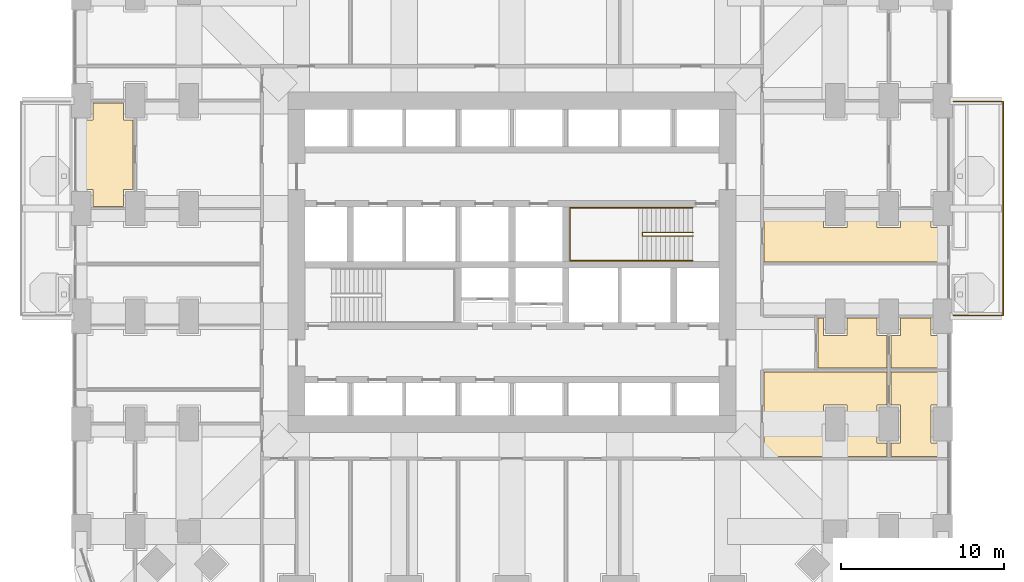
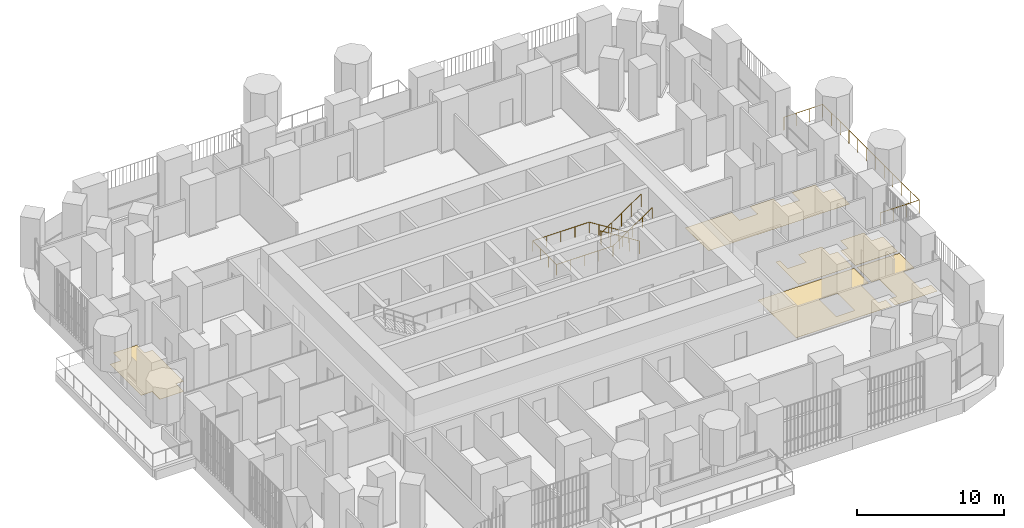
# One storey, part 24 of 26: 6 coverings, 3 railings.
"""IFC4 building model written with IfcOpenShell, lengths in metres."""

from ifc_helpers import new_model, si_unit, direction, frame, origin, place, context, subcontext, project, spatial, polyline, outline, extrude, material, layer, layer_set, type_object, element, save


model = new_model("IFC4")

# Units and contexts
model_context = context("Model", 3, precision=1e-05, world=origin(), true_north=direction((0.0, 1.0)))
body_context = subcontext(model_context, "Body", "Model", "MODEL_VIEW")
ifc_project = project(units=[si_unit("LENGTHUNIT", "METRE"), si_unit("AREAUNIT", "SQUARE_METRE"), si_unit("VOLUMEUNIT", "CUBIC_METRE"), si_unit("PLANEANGLEUNIT", "RADIAN"), si_unit("MASSUNIT", "GRAM", prefix="KILO")], contexts=[model_context])

# Site, building, storey
site_placement = place(None, origin())
site = spatial("IfcSite", under=ifc_project, at=site_placement, CompositionType="ELEMENT")
building_placement = place(site_placement, origin())
building = spatial("IfcBuilding", under=site, at=building_placement, Name="Cobogo Forest Laboratory Tower", CompositionType="ELEMENT")
storey_placement = place(building_placement, frame((0.0, 0.0, 59.10009765625)))
storey = spatial("IfcBuildingStorey", under=building, at=storey_placement, Name="L13", CompositionType="ELEMENT", Elevation=59.10009765625)

# Railing
ifc_material_1 = material(Name="Laminated glass balustrade", Category="glass")
railing_type_1 = type_object("IfcRailingType", Name="BG1 glass balustrade 1100", PredefinedType="GUARDRAIL", material=ifc_material_1)
railing_1_placement = place(storey_placement, frame((53.449951171875, 19.85009765625, 0.0)))
element("IfcRailing", 1, at=railing_1_placement, inside=storey, type_object=railing_type_1, Name="Balcony balustrade BAL-E1 L13", PredefinedType="GUARDRAIL", context=body_context, shape_type="SweptSolid", body=[
    extrude(outline(polyline([(0.022216796875, 0.00927734375), (0.00927734375, 0.022216796875), (-0.00927734375, 0.022216796875), (-0.022216796875, 0.00927734375), (-0.022216796875, -0.00927734375), (-0.00927734375, -0.022216796875), (0.00927734375, -0.022216796875), (0.022216796875, -0.00927734375), (0.022216796875, 0.00927734375)])), frame((0.0, 0.0, 1.077880859375), z_axis=(1.0, 0.0, 0.0), x_axis=(0.0, 1.0, 0.0)), (0.0, 0.0, 1.0), 3.050048828125),
    extrude(outline(polyline([(0.022216796875, 0.00927734375), (0.00927734375, 0.022216796875), (-0.00927734375, 0.022216796875), (-0.022216796875, 0.00927734375), (-0.022216796875, -0.00927734375), (-0.00927734375, -0.022216796875), (0.00927734375, -0.022216796875), (0.022216796875, -0.00927734375), (0.022216796875, 0.00927734375)])), frame((3.050048828125, 0.0, 1.077880859375), z_axis=(0.0, 1.0, 0.0), x_axis=(-1.0, 0.0, 0.0)), (0.0, 0.0, 1.0), 13.099853515625),
    extrude(outline(polyline([(0.022216796875, 0.00927734375), (0.00927734375, 0.022216796875), (-0.00927734375, 0.022216796875), (-0.022216796875, 0.00927734375), (-0.022216796875, -0.00927734375), (-0.00927734375, -0.022216796875), (0.00927734375, -0.022216796875), (0.022216796875, -0.00927734375), (0.022216796875, 0.00927734375)])), frame((3.050048828125, 13.099853515625, 1.077880859375), z_axis=(-1.0, 0.0, 0.0), x_axis=(0.0, -1.0, 0.0)), (0.0, 0.0, 1.0), 3.050048828125),
    extrude(outline(polyline([(0.019287109375, 0.008056640625), (0.008056640625, 0.019287109375), (-0.008056640625, 0.019287109375), (-0.019287109375, 0.008056640625), (-0.019287109375, -0.008056640625), (-0.008056640625, -0.019287109375), (0.008056640625, -0.019287109375), (0.019287109375, -0.008056640625), (0.019287109375, 0.008056640625)])), origin(), (0.0, 0.0, 1.0), 1.077880859375),
    extrude(outline(polyline([(0.019287109375, 0.008056640625), (0.008056640625, 0.019287109375), (-0.008056640625, 0.019287109375), (-0.019287109375, 0.008056640625), (-0.019287109375, -0.008056640625), (-0.008056640625, -0.019287109375), (0.008056640625, -0.019287109375), (0.019287109375, -0.008056640625), (0.019287109375, 0.008056640625)])), frame((1.0166015625, 0.0, 0.0)), (0.0, 0.0, 1.0), 1.077880859375),
    extrude(outline(polyline([(0.019287109375, 0.008056640625), (0.008056640625, 0.019287109375), (-0.008056640625, 0.019287109375), (-0.019287109375, 0.008056640625), (-0.019287109375, -0.008056640625), (-0.008056640625, -0.019287109375), (0.008056640625, -0.019287109375), (0.019287109375, -0.008056640625), (0.019287109375, 0.008056640625)])), frame((2.033447265625, 0.0, 0.0)), (0.0, 0.0, 1.0), 1.077880859375),
    extrude(outline(polyline([(0.019287109375, 0.008056640625), (0.008056640625, 0.019287109375), (-0.008056640625, 0.019287109375), (-0.019287109375, 0.008056640625), (-0.019287109375, -0.008056640625), (-0.008056640625, -0.019287109375), (0.008056640625, -0.019287109375), (0.019287109375, -0.008056640625), (0.019287109375, 0.008056640625)])), frame((3.050048828125, 0.0, 0.0)), (0.0, 0.0, 1.0), 1.077880859375),
    extrude(outline(polyline([(0.019287109375, 0.008056640625), (0.008056640625, 0.019287109375), (-0.008056640625, 0.019287109375), (-0.019287109375, 0.008056640625), (-0.019287109375, -0.008056640625), (-0.008056640625, -0.019287109375), (0.008056640625, -0.019287109375), (0.019287109375, -0.008056640625), (0.019287109375, 0.008056640625)])), frame((3.050048828125, 1.19091796875, 0.0)), (0.0, 0.0, 1.0), 1.077880859375),
    extrude(outline(polyline([(0.019287109375, 0.008056640625), (0.008056640625, 0.019287109375), (-0.008056640625, 0.019287109375), (-0.019287109375, 0.008056640625), (-0.019287109375, -0.008056640625), (-0.008056640625, -0.019287109375), (0.008056640625, -0.019287109375), (0.019287109375, -0.008056640625), (0.019287109375, 0.008056640625)])), frame((3.050048828125, 2.3818359375, 0.0)), (0.0, 0.0, 1.0), 1.077880859375),
    extrude(outline(polyline([(0.019287109375, 0.008056640625), (0.008056640625, 0.019287109375), (-0.008056640625, 0.019287109375), (-0.019287109375, 0.008056640625), (-0.019287109375, -0.008056640625), (-0.008056640625, -0.019287109375), (0.008056640625, -0.019287109375), (0.019287109375, -0.008056640625), (0.019287109375, 0.008056640625)])), frame((3.050048828125, 3.57275390625, 0.0)), (0.0, 0.0, 1.0), 1.077880859375),
    extrude(outline(polyline([(0.019287109375, 0.008056640625), (0.008056640625, 0.019287109375), (-0.008056640625, 0.019287109375), (-0.019287109375, 0.008056640625), (-0.019287109375, -0.008056640625), (-0.008056640625, -0.019287109375), (0.008056640625, -0.019287109375), (0.019287109375, -0.008056640625), (0.019287109375, 0.008056640625)])), frame((3.050048828125, 4.763671875, 0.0)), (0.0, 0.0, 1.0), 1.077880859375),
    extrude(outline(polyline([(0.019287109375, 0.008056640625), (0.008056640625, 0.019287109375), (-0.008056640625, 0.019287109375), (-0.019287109375, 0.008056640625), (-0.019287109375, -0.008056640625), (-0.008056640625, -0.019287109375), (0.008056640625, -0.019287109375), (0.019287109375, -0.008056640625), (0.019287109375, 0.008056640625)])), frame((3.050048828125, 5.95458984375, 0.0)), (0.0, 0.0, 1.0), 1.077880859375),
    extrude(outline(polyline([(0.019287109375, 0.008056640625), (0.008056640625, 0.019287109375), (-0.008056640625, 0.019287109375), (-0.019287109375, 0.008056640625), (-0.019287109375, -0.008056640625), (-0.008056640625, -0.019287109375), (0.008056640625, -0.019287109375), (0.019287109375, -0.008056640625), (0.019287109375, 0.008056640625)])), frame((3.050048828125, 7.145263671875, 0.0)), (0.0, 0.0, 1.0), 1.077880859375),
    extrude(outline(polyline([(0.019287109375, 0.008056640625), (0.008056640625, 0.019287109375), (-0.008056640625, 0.019287109375), (-0.019287109375, 0.008056640625), (-0.019287109375, -0.008056640625), (-0.008056640625, -0.019287109375), (0.008056640625, -0.019287109375), (0.019287109375, -0.008056640625), (0.019287109375, 0.008056640625)])), frame((3.050048828125, 8.336181640625, 0.0)), (0.0, 0.0, 1.0), 1.077880859375),
    extrude(outline(polyline([(0.019287109375, 0.008056640625), (0.008056640625, 0.019287109375), (-0.008056640625, 0.019287109375), (-0.019287109375, 0.008056640625), (-0.019287109375, -0.008056640625), (-0.008056640625, -0.019287109375), (0.008056640625, -0.019287109375), (0.019287109375, -0.008056640625), (0.019287109375, 0.008056640625)])), frame((3.050048828125, 9.527099609375, 0.0)), (0.0, 0.0, 1.0), 1.077880859375),
    extrude(outline(polyline([(0.019287109375, 0.008056640625), (0.008056640625, 0.019287109375), (-0.008056640625, 0.019287109375), (-0.019287109375, 0.008056640625), (-0.019287109375, -0.008056640625), (-0.008056640625, -0.019287109375), (0.008056640625, -0.019287109375), (0.019287109375, -0.008056640625), (0.019287109375, 0.008056640625)])), frame((3.050048828125, 10.718017578125, 0.0)), (0.0, 0.0, 1.0), 1.077880859375),
    extrude(outline(polyline([(0.019287109375, 0.008056640625), (0.008056640625, 0.019287109375), (-0.008056640625, 0.019287109375), (-0.019287109375, 0.008056640625), (-0.019287109375, -0.008056640625), (-0.008056640625, -0.019287109375), (0.008056640625, -0.019287109375), (0.019287109375, -0.008056640625), (0.019287109375, 0.008056640625)])), frame((3.050048828125, 11.908935546875, 0.0)), (0.0, 0.0, 1.0), 1.077880859375),
    extrude(outline(polyline([(0.019287109375, 0.008056640625), (0.008056640625, 0.019287109375), (-0.008056640625, 0.019287109375), (-0.019287109375, 0.008056640625), (-0.019287109375, -0.008056640625), (-0.008056640625, -0.019287109375), (0.008056640625, -0.019287109375), (0.019287109375, -0.008056640625), (0.019287109375, 0.008056640625)])), frame((3.050048828125, 13.099853515625, 0.0)), (0.0, 0.0, 1.0), 1.077880859375),
    extrude(outline(polyline([(0.019287109375, 0.008056640625), (0.008056640625, 0.019287109375), (-0.008056640625, 0.019287109375), (-0.019287109375, 0.008056640625), (-0.019287109375, -0.008056640625), (-0.008056640625, -0.019287109375), (0.008056640625, -0.019287109375), (0.019287109375, -0.008056640625), (0.019287109375, 0.008056640625)])), frame((2.033447265625, 13.099853515625, 0.0)), (0.0, 0.0, 1.0), 1.077880859375),
    extrude(outline(polyline([(0.019287109375, 0.008056640625), (0.008056640625, 0.019287109375), (-0.008056640625, 0.019287109375), (-0.019287109375, 0.008056640625), (-0.019287109375, -0.008056640625), (-0.008056640625, -0.019287109375), (0.008056640625, -0.019287109375), (0.019287109375, -0.008056640625), (0.019287109375, 0.008056640625)])), frame((1.0166015625, 13.099853515625, 0.0)), (0.0, 0.0, 1.0), 1.077880859375),
    extrude(outline(polyline([(0.019287109375, 0.008056640625), (0.008056640625, 0.019287109375), (-0.008056640625, 0.019287109375), (-0.019287109375, 0.008056640625), (-0.019287109375, -0.008056640625), (-0.008056640625, -0.019287109375), (0.008056640625, -0.019287109375), (0.019287109375, -0.008056640625), (0.019287109375, 0.008056640625)])), frame((0.0, 13.099853515625, 0.0)), (0.0, 0.0, 1.0), 1.077880859375),
])

# Coverings
ifc_material_2 = material(Name="Carpet tile on raised access floor", Category="flooring")
ifc_layer_1 = layer(ifc_material_2, 0.008056640625)
ifc_layer_set_1 = layer_set([ifc_layer_1], Name="CT1 carpet tile floor 8")
covering_type_1 = type_object("IfcCoveringType", Name="CT1 carpet tile floor 8", PredefinedType="FLOORING", material=ifc_layer_set_1)
covering_1_placement = place(storey_placement, origin())
element("IfcCovering", 2, at=covering_1_placement, inside=storey, type_object=covering_type_1, Name="Carpet floor L13-13", PredefinedType="FLOORING", context=body_context, shape_type="SweptSolid", body=[
    extrude(outline(polyline([(49.6201171875, 12.030029296875), (50.219970703125, 12.030029296875), (50.219970703125, 14.3701171875), (49.6201171875, 14.3701171875), (49.6201171875, 16.3798828125), (52.949951171875, 16.3798828125), (52.949951171875, 14.3701171875), (52.080078125, 14.3701171875), (52.080078125, 12.030029296875), (52.949951171875, 12.030029296875), (52.949951171875, 11.195068359375), (49.6201171875, 11.195068359375), (49.6201171875, 12.030029296875)])), origin(), (0.0, 0.0, 1.0), 0.0078125),
])
covering_2_placement = place(storey_placement, origin())
element("IfcCovering", 3, at=covering_2_placement, inside=storey, type_object=covering_type_1, Name="Carpet floor L13-15", PredefinedType="FLOORING", context=body_context, shape_type="SweptSolid", body=[
    extrude(outline(polyline([(49.6201171875, 18.6298828125), (50.219970703125, 18.6298828125), (50.219970703125, 19.679931640625), (52.080078125, 19.679931640625), (52.080078125, 18.6298828125), (52.949951171875, 18.6298828125), (52.949951171875, 16.6201171875), (49.6201171875, 16.6201171875), (49.6201171875, 18.6298828125)])), origin(), (0.0, 0.0, 1.0), 0.0078125),
])
covering_3_placement = place(storey_placement, origin())
element("IfcCovering", 4, at=covering_3_placement, inside=storey, type_object=covering_type_1, Name="Carpet floor L13-35", PredefinedType="FLOORING", context=body_context, shape_type="SweptSolid", body=[
    extrude(outline(polyline([(3.179931640625, 27.570068359375), (2.580078125, 27.570068359375), (2.580078125, 26.52001953125), (0.719970703125, 26.52001953125), (0.719970703125, 27.570068359375), (-0.14990234375, 27.570068359375), (-0.14990234375, 31.830078125), (0.719970703125, 31.830078125), (0.719970703125, 32.8798828125), (2.580078125, 32.8798828125), (2.580078125, 31.830078125), (3.179931640625, 31.830078125), (3.179931640625, 27.570068359375)])), origin(), (0.0, 0.0, 1.0), 0.0078125),
])

# Railings
ifc_material_3 = material(Name="Steel balustrade", Category="steel")
railing_type_2 = type_object("IfcRailingType", Name="GR stair guard 1100", PredefinedType="GUARDRAIL", material=ifc_material_3)
railing_2_placement = place(storey_placement, frame((37.47509765625, 24.929931640625, 0.1748046875)))
element("IfcRailing", 5, at=railing_2_placement, inside=storey, type_object=railing_type_2, Name="Stair guard ST2 L13", PredefinedType="GUARDRAIL", context=body_context, shape_type="SweptSolid", body=[
    extrude(outline(polyline([(0.022216796875, 0.00927734375), (0.00927734375, 0.022216796875), (-0.00927734375, 0.022216796875), (-0.022216796875, 0.00927734375), (-0.022216796875, -0.00927734375), (-0.00927734375, -0.022216796875), (0.00927734375, -0.022216796875), (0.022216796875, -0.00927734375), (0.022216796875, 0.00927734375)])), frame((0.0, 0.0, 1.077880859375), z_axis=(-0.847998304005, 0.0, 0.529998940003), x_axis=(0.0, -1.0, 0.0)), (0.0, 0.0, 1.0), 3.632080078125),
    extrude(outline(polyline([(0.022216796875, 0.00927734375), (0.00927734375, 0.022216796875), (-0.00927734375, 0.022216796875), (-0.022216796875, 0.00927734375), (-0.022216796875, -0.00927734375), (-0.00927734375, -0.022216796875), (0.00927734375, -0.022216796875), (0.022216796875, -0.00927734375), (0.022216796875, 0.00927734375)])), frame((-3.080078125, 0.0, 3.0029296875), z_axis=(0.0, -1.0, 0.0), x_axis=(1.0, 0.0, 0.0)), (0.0, 0.0, 1.0), 0.2099609375),
    extrude(outline(polyline([(0.022216796875, 0.00927734375), (0.00927734375, 0.022216796875), (-0.00927734375, 0.022216796875), (-0.022216796875, 0.00927734375), (-0.022216796875, -0.00927734375), (-0.00927734375, -0.022216796875), (0.00927734375, -0.022216796875), (0.022216796875, -0.00927734375), (0.022216796875, 0.00927734375)])), frame((-3.080078125, -0.2099609375, 3.0029296875), z_axis=(0.826221800596, 0.0, 0.563344953133), x_axis=(0.0, 1.0, 0.0)), (0.0, 0.0, 1.0), 3.72802734375),
    extrude(outline(polyline([(0.019287109375, 0.008056640625), (0.008056640625, 0.019287109375), (-0.008056640625, 0.019287109375), (-0.019287109375, 0.008056640625), (-0.019287109375, -0.008056640625), (-0.008056640625, -0.019287109375), (0.008056640625, -0.019287109375), (0.019287109375, -0.008056640625), (0.019287109375, 0.008056640625)])), origin(), (0.0, 0.0, 1.0), 1.077880859375),
    extrude(outline(polyline([(0.019287109375, 0.008056640625), (0.008056640625, 0.019287109375), (-0.008056640625, 0.019287109375), (-0.019287109375, 0.008056640625), (-0.019287109375, -0.008056640625), (-0.008056640625, -0.019287109375), (0.008056640625, -0.019287109375), (0.019287109375, -0.008056640625), (0.019287109375, 0.008056640625)])), frame((-0.77001953125, 0.0, 0.481201171875)), (0.0, 0.0, 1.0), 1.077880859375),
    extrude(outline(polyline([(0.019287109375, 0.008056640625), (0.008056640625, 0.019287109375), (-0.008056640625, 0.019287109375), (-0.019287109375, 0.008056640625), (-0.019287109375, -0.008056640625), (-0.008056640625, -0.019287109375), (0.008056640625, -0.019287109375), (0.019287109375, -0.008056640625), (0.019287109375, 0.008056640625)])), frame((-1.5400390625, 0.0, 0.96240234375)), (0.0, 0.0, 1.0), 1.077880859375),
    extrude(outline(polyline([(0.019287109375, 0.008056640625), (0.008056640625, 0.019287109375), (-0.008056640625, 0.019287109375), (-0.019287109375, 0.008056640625), (-0.019287109375, -0.008056640625), (-0.008056640625, -0.019287109375), (0.008056640625, -0.019287109375), (0.019287109375, -0.008056640625), (0.019287109375, 0.008056640625)])), frame((-2.31005859375, 0.0, 1.44384765625)), (0.0, 0.0, 1.0), 1.077880859375),
    extrude(outline(polyline([(0.019287109375, 0.008056640625), (0.008056640625, 0.019287109375), (-0.008056640625, 0.019287109375), (-0.019287109375, 0.008056640625), (-0.019287109375, -0.008056640625), (-0.008056640625, -0.019287109375), (0.008056640625, -0.019287109375), (0.019287109375, -0.008056640625), (0.019287109375, 0.008056640625)])), frame((-3.080078125, 0.0, 1.925048828125)), (0.0, 0.0, 1.0), 1.077880859375),
    extrude(outline(polyline([(0.019287109375, 0.008056640625), (0.008056640625, 0.019287109375), (-0.008056640625, 0.019287109375), (-0.019287109375, 0.008056640625), (-0.019287109375, -0.008056640625), (-0.008056640625, -0.019287109375), (0.008056640625, -0.019287109375), (0.019287109375, -0.008056640625), (0.019287109375, 0.008056640625)])), frame((-3.080078125, -0.2099609375, 1.925048828125)), (0.0, 0.0, 1.0), 1.077880859375),
    extrude(outline(polyline([(0.019287109375, 0.008056640625), (0.008056640625, 0.019287109375), (-0.008056640625, 0.019287109375), (-0.019287109375, 0.008056640625), (-0.019287109375, -0.008056640625), (-0.008056640625, -0.019287109375), (0.008056640625, -0.019287109375), (0.019287109375, -0.008056640625), (0.019287109375, 0.008056640625)])), frame((-2.31005859375, -0.2099609375, 2.4501953125)), (0.0, 0.0, 1.0), 1.077880859375),
    extrude(outline(polyline([(0.019287109375, 0.008056640625), (0.008056640625, 0.019287109375), (-0.008056640625, 0.019287109375), (-0.019287109375, 0.008056640625), (-0.019287109375, -0.008056640625), (-0.008056640625, -0.019287109375), (0.008056640625, -0.019287109375), (0.019287109375, -0.008056640625), (0.019287109375, 0.008056640625)])), frame((-1.5400390625, -0.2099609375, 2.97509765625)), (0.0, 0.0, 1.0), 1.077880859375),
    extrude(outline(polyline([(0.019287109375, 0.008056640625), (0.008056640625, 0.019287109375), (-0.008056640625, 0.019287109375), (-0.019287109375, 0.008056640625), (-0.019287109375, -0.008056640625), (-0.008056640625, -0.019287109375), (0.008056640625, -0.019287109375), (0.019287109375, -0.008056640625), (0.019287109375, 0.008056640625)])), frame((-0.77001953125, -0.2099609375, 3.5)), (0.0, 0.0, 1.0), 1.077880859375),
    extrude(outline(polyline([(0.019287109375, 0.008056640625), (0.008056640625, 0.019287109375), (-0.008056640625, 0.019287109375), (-0.019287109375, 0.008056640625), (-0.019287109375, -0.008056640625), (-0.008056640625, -0.019287109375), (0.008056640625, -0.019287109375), (0.019287109375, -0.008056640625), (0.019287109375, 0.008056640625)])), frame((0.0, -0.2099609375, 4.025146484375)), (0.0, 0.0, 1.0), 1.077880859375),
])
ifc_material_4 = material(Name="Stainless steel handrail", Category="steel")
railing_type_3 = type_object("IfcRailingType", Name="HR handrail 900", PredefinedType="HANDRAIL", material=ifc_material_4)
railing_3_placement = place(storey_placement, frame((37.47509765625, 26.449951171875, 0.1748046875)))
element("IfcRailing", 6, at=railing_3_placement, inside=storey, type_object=railing_type_3, Name="Stair handrail ST2 L13", PredefinedType="HANDRAIL", context=body_context, shape_type="SweptSolid", body=[
    extrude(outline(polyline([(0.022216796875, 0.00927734375), (0.00927734375, 0.022216796875), (-0.00927734375, 0.022216796875), (-0.022216796875, 0.00927734375), (-0.022216796875, -0.00927734375), (-0.00927734375, -0.022216796875), (0.00927734375, -0.022216796875), (0.022216796875, -0.00927734375), (0.022216796875, 0.00927734375)])), frame((0.0, 0.0, 0.877685546875), z_axis=(-0.847998304005, 0.0, 0.529998940003), x_axis=(0.0, -1.0, 0.0)), (0.0, 0.0, 1.0), 3.632080078125),
    extrude(outline(polyline([(0.022216796875, 0.00927734375), (0.00927734375, 0.022216796875), (-0.00927734375, 0.022216796875), (-0.022216796875, 0.00927734375), (-0.022216796875, -0.00927734375), (-0.00927734375, -0.022216796875), (0.00927734375, -0.022216796875), (0.022216796875, -0.00927734375), (0.022216796875, 0.00927734375)])), frame((-3.080078125, 0.0, 2.802734375), z_axis=(-1.0, 0.0, 0.0), x_axis=(0.0, -1.0, 0.0)), (0.0, 0.0, 1.0), 4.445068359375),
    extrude(outline(polyline([(0.022216796875, 0.00927734375), (0.00927734375, 0.022216796875), (-0.00927734375, 0.022216796875), (-0.022216796875, 0.00927734375), (-0.022216796875, -0.00927734375), (-0.00927734375, -0.022216796875), (0.00927734375, -0.022216796875), (0.022216796875, -0.00927734375), (0.022216796875, 0.00927734375)])), frame((-7.525146484375, 0.0, 2.802734375), z_axis=(0.0, -1.0, 0.0), x_axis=(1.0, 0.0, 0.0)), (0.0, 0.0, 1.0), 3.25),
    extrude(outline(polyline([(0.022216796875, 0.00927734375), (0.00927734375, 0.022216796875), (-0.00927734375, 0.022216796875), (-0.022216796875, 0.00927734375), (-0.022216796875, -0.00927734375), (-0.00927734375, -0.022216796875), (0.00927734375, -0.022216796875), (0.022216796875, -0.00927734375), (0.022216796875, 0.00927734375)])), frame((-7.525146484375, -3.25, 2.802734375), z_axis=(1.0, 0.0, 0.0), x_axis=(0.0, 1.0, 0.0)), (0.0, 0.0, 1.0), 4.445068359375),
    extrude(outline(polyline([(0.022216796875, 0.00927734375), (0.00927734375, 0.022216796875), (-0.00927734375, 0.022216796875), (-0.022216796875, 0.00927734375), (-0.022216796875, -0.00927734375), (-0.00927734375, -0.022216796875), (0.00927734375, -0.022216796875), (0.022216796875, -0.00927734375), (0.022216796875, 0.00927734375)])), frame((-3.080078125, -3.25, 2.802734375), z_axis=(0.826221800596, 0.0, 0.563344953133), x_axis=(0.0, 1.0, 0.0)), (0.0, 0.0, 1.0), 3.72802734375),
    extrude(outline(polyline([(0.019287109375, 0.008056640625), (0.008056640625, 0.019287109375), (-0.008056640625, 0.019287109375), (-0.019287109375, 0.008056640625), (-0.019287109375, -0.008056640625), (-0.008056640625, -0.019287109375), (0.008056640625, -0.019287109375), (0.019287109375, -0.008056640625), (0.019287109375, 0.008056640625)])), origin(), (0.0, 0.0, 1.0), 0.877685546875),
    extrude(outline(polyline([(0.019287109375, 0.008056640625), (0.008056640625, 0.019287109375), (-0.008056640625, 0.019287109375), (-0.019287109375, 0.008056640625), (-0.019287109375, -0.008056640625), (-0.008056640625, -0.019287109375), (0.008056640625, -0.019287109375), (0.019287109375, -0.008056640625), (0.019287109375, 0.008056640625)])), frame((-0.77001953125, 0.0, 0.481201171875)), (0.0, 0.0, 1.0), 0.877685546875),
    extrude(outline(polyline([(0.019287109375, 0.008056640625), (0.008056640625, 0.019287109375), (-0.008056640625, 0.019287109375), (-0.019287109375, 0.008056640625), (-0.019287109375, -0.008056640625), (-0.008056640625, -0.019287109375), (0.008056640625, -0.019287109375), (0.019287109375, -0.008056640625), (0.019287109375, 0.008056640625)])), frame((-1.5400390625, 0.0, 0.96240234375)), (0.0, 0.0, 1.0), 0.877685546875),
    extrude(outline(polyline([(0.019287109375, 0.008056640625), (0.008056640625, 0.019287109375), (-0.008056640625, 0.019287109375), (-0.019287109375, 0.008056640625), (-0.019287109375, -0.008056640625), (-0.008056640625, -0.019287109375), (0.008056640625, -0.019287109375), (0.019287109375, -0.008056640625), (0.019287109375, 0.008056640625)])), frame((-2.31005859375, 0.0, 1.44384765625)), (0.0, 0.0, 1.0), 0.877685546875),
    extrude(outline(polyline([(0.019287109375, 0.008056640625), (0.008056640625, 0.019287109375), (-0.008056640625, 0.019287109375), (-0.019287109375, 0.008056640625), (-0.019287109375, -0.008056640625), (-0.008056640625, -0.019287109375), (0.008056640625, -0.019287109375), (0.019287109375, -0.008056640625), (0.019287109375, 0.008056640625)])), frame((-3.080078125, 0.0, 1.925048828125)), (0.0, 0.0, 1.0), 0.877685546875),
    extrude(outline(polyline([(0.019287109375, 0.008056640625), (0.008056640625, 0.019287109375), (-0.008056640625, 0.019287109375), (-0.019287109375, 0.008056640625), (-0.019287109375, -0.008056640625), (-0.008056640625, -0.019287109375), (0.008056640625, -0.019287109375), (0.019287109375, -0.008056640625), (0.019287109375, 0.008056640625)])), frame((-4.19140625, 0.0, 1.925048828125)), (0.0, 0.0, 1.0), 0.877685546875),
    extrude(outline(polyline([(0.019287109375, 0.008056640625), (0.008056640625, 0.019287109375), (-0.008056640625, 0.019287109375), (-0.019287109375, 0.008056640625), (-0.019287109375, -0.008056640625), (-0.008056640625, -0.019287109375), (0.008056640625, -0.019287109375), (0.019287109375, -0.008056640625), (0.019287109375, 0.008056640625)])), frame((-5.302734375, 0.0, 1.925048828125)), (0.0, 0.0, 1.0), 0.877685546875),
    extrude(outline(polyline([(0.019287109375, 0.008056640625), (0.008056640625, 0.019287109375), (-0.008056640625, 0.019287109375), (-0.019287109375, 0.008056640625), (-0.019287109375, -0.008056640625), (-0.008056640625, -0.019287109375), (0.008056640625, -0.019287109375), (0.019287109375, -0.008056640625), (0.019287109375, 0.008056640625)])), frame((-6.413818359375, 0.0, 1.925048828125)), (0.0, 0.0, 1.0), 0.877685546875),
    extrude(outline(polyline([(0.019287109375, 0.008056640625), (0.008056640625, 0.019287109375), (-0.008056640625, 0.019287109375), (-0.019287109375, 0.008056640625), (-0.019287109375, -0.008056640625), (-0.008056640625, -0.019287109375), (0.008056640625, -0.019287109375), (0.019287109375, -0.008056640625), (0.019287109375, 0.008056640625)])), frame((-7.525146484375, 0.0, 1.925048828125)), (0.0, 0.0, 1.0), 0.877685546875),
    extrude(outline(polyline([(0.019287109375, 0.008056640625), (0.008056640625, 0.019287109375), (-0.008056640625, 0.019287109375), (-0.019287109375, 0.008056640625), (-0.019287109375, -0.008056640625), (-0.008056640625, -0.019287109375), (0.008056640625, -0.019287109375), (0.019287109375, -0.008056640625), (0.019287109375, 0.008056640625)])), frame((-7.525146484375, -1.083251953125, 1.925048828125)), (0.0, 0.0, 1.0), 0.877685546875),
    extrude(outline(polyline([(0.019287109375, 0.008056640625), (0.008056640625, 0.019287109375), (-0.008056640625, 0.019287109375), (-0.019287109375, 0.008056640625), (-0.019287109375, -0.008056640625), (-0.008056640625, -0.019287109375), (0.008056640625, -0.019287109375), (0.019287109375, -0.008056640625), (0.019287109375, 0.008056640625)])), frame((-7.525146484375, -2.166748046875, 1.925048828125)), (0.0, 0.0, 1.0), 0.877685546875),
    extrude(outline(polyline([(0.019287109375, 0.008056640625), (0.008056640625, 0.019287109375), (-0.008056640625, 0.019287109375), (-0.019287109375, 0.008056640625), (-0.019287109375, -0.008056640625), (-0.008056640625, -0.019287109375), (0.008056640625, -0.019287109375), (0.019287109375, -0.008056640625), (0.019287109375, 0.008056640625)])), frame((-7.525146484375, -3.25, 1.925048828125)), (0.0, 0.0, 1.0), 0.877685546875),
    extrude(outline(polyline([(0.019287109375, 0.008056640625), (0.008056640625, 0.019287109375), (-0.008056640625, 0.019287109375), (-0.019287109375, 0.008056640625), (-0.019287109375, -0.008056640625), (-0.008056640625, -0.019287109375), (0.008056640625, -0.019287109375), (0.019287109375, -0.008056640625), (0.019287109375, 0.008056640625)])), frame((-6.413818359375, -3.25, 1.925048828125)), (0.0, 0.0, 1.0), 0.877685546875),
    extrude(outline(polyline([(0.019287109375, 0.008056640625), (0.008056640625, 0.019287109375), (-0.008056640625, 0.019287109375), (-0.019287109375, 0.008056640625), (-0.019287109375, -0.008056640625), (-0.008056640625, -0.019287109375), (0.008056640625, -0.019287109375), (0.019287109375, -0.008056640625), (0.019287109375, 0.008056640625)])), frame((-5.302734375, -3.25, 1.925048828125)), (0.0, 0.0, 1.0), 0.877685546875),
    extrude(outline(polyline([(0.019287109375, 0.008056640625), (0.008056640625, 0.019287109375), (-0.008056640625, 0.019287109375), (-0.019287109375, 0.008056640625), (-0.019287109375, -0.008056640625), (-0.008056640625, -0.019287109375), (0.008056640625, -0.019287109375), (0.019287109375, -0.008056640625), (0.019287109375, 0.008056640625)])), frame((-4.19140625, -3.25, 1.925048828125)), (0.0, 0.0, 1.0), 0.877685546875),
    extrude(outline(polyline([(0.019287109375, 0.008056640625), (0.008056640625, 0.019287109375), (-0.008056640625, 0.019287109375), (-0.019287109375, 0.008056640625), (-0.019287109375, -0.008056640625), (-0.008056640625, -0.019287109375), (0.008056640625, -0.019287109375), (0.019287109375, -0.008056640625), (0.019287109375, 0.008056640625)])), frame((-3.080078125, -3.25, 1.925048828125)), (0.0, 0.0, 1.0), 0.877685546875),
    extrude(outline(polyline([(0.019287109375, 0.008056640625), (0.008056640625, 0.019287109375), (-0.008056640625, 0.019287109375), (-0.019287109375, 0.008056640625), (-0.019287109375, -0.008056640625), (-0.008056640625, -0.019287109375), (0.008056640625, -0.019287109375), (0.019287109375, -0.008056640625), (0.019287109375, 0.008056640625)])), frame((-2.31005859375, -3.25, 2.4501953125)), (0.0, 0.0, 1.0), 0.877685546875),
    extrude(outline(polyline([(0.019287109375, 0.008056640625), (0.008056640625, 0.019287109375), (-0.008056640625, 0.019287109375), (-0.019287109375, 0.008056640625), (-0.019287109375, -0.008056640625), (-0.008056640625, -0.019287109375), (0.008056640625, -0.019287109375), (0.019287109375, -0.008056640625), (0.019287109375, 0.008056640625)])), frame((-1.5400390625, -3.25, 2.97509765625)), (0.0, 0.0, 1.0), 0.877685546875),
    extrude(outline(polyline([(0.019287109375, 0.008056640625), (0.008056640625, 0.019287109375), (-0.008056640625, 0.019287109375), (-0.019287109375, 0.008056640625), (-0.019287109375, -0.008056640625), (-0.008056640625, -0.019287109375), (0.008056640625, -0.019287109375), (0.019287109375, -0.008056640625), (0.019287109375, 0.008056640625)])), frame((-0.77001953125, -3.25, 3.5)), (0.0, 0.0, 1.0), 0.877685546875),
    extrude(outline(polyline([(0.019287109375, 0.008056640625), (0.008056640625, 0.019287109375), (-0.008056640625, 0.019287109375), (-0.019287109375, 0.008056640625), (-0.019287109375, -0.008056640625), (-0.008056640625, -0.019287109375), (0.008056640625, -0.019287109375), (0.019287109375, -0.008056640625), (0.019287109375, 0.008056640625)])), frame((0.0, -3.25, 4.025146484375)), (0.0, 0.0, 1.0), 0.877685546875),
])

# Coverings
ifc_material_5 = material(Name="Epoxy resin flooring", Category="flooring")
ifc_layer_2 = layer(ifc_material_5, 0.00390625)
ifc_layer_set_2 = layer_set([ifc_layer_2], Name="LF1 epoxy laboratory floor 4")
covering_type_2 = type_object("IfcCoveringType", Name="LF1 epoxy laboratory floor 4", PredefinedType="FLOORING", material=ifc_layer_set_2)
covering_4_placement = place(storey_placement, origin())
element("IfcCovering", 7, at=covering_4_placement, inside=storey, type_object=covering_type_2, Name="Epoxy laboratory floor L13-12", PredefinedType="FLOORING", context=body_context, shape_type="SweptSolid", body=[
    extrude(outline(polyline([(41.844970703125, 16.3798828125), (49.3798828125, 16.3798828125), (49.3798828125, 14.3701171875), (48.780029296875, 14.3701171875), (48.780029296875, 12.030029296875), (49.3798828125, 12.030029296875), (49.3798828125, 11.195068359375), (41.844970703125, 11.195068359375), (41.844970703125, 16.3798828125)]), holes=[polyline([(45.47998046875, 12.030029296875), (46.919921875, 12.030029296875), (46.919921875, 14.3701171875), (45.47998046875, 14.3701171875), (45.47998046875, 12.030029296875)])]), origin(), (0.0, 0.0, 1.0), 0.00390625),
])
covering_5_placement = place(storey_placement, origin())
element("IfcCovering", 8, at=covering_5_placement, inside=storey, type_object=covering_type_2, Name="Epoxy laboratory floor L13-14", PredefinedType="FLOORING", context=body_context, shape_type="SweptSolid", body=[
    extrude(outline(polyline([(45.14501953125, 19.679931640625), (45.47998046875, 19.679931640625), (45.47998046875, 18.6298828125), (46.919921875, 18.6298828125), (46.919921875, 19.679931640625), (48.780029296875, 19.679931640625), (48.780029296875, 18.6298828125), (49.3798828125, 18.6298828125), (49.3798828125, 16.6201171875), (45.14501953125, 16.6201171875), (45.14501953125, 19.679931640625)])), origin(), (0.0, 0.0, 1.0), 0.00390625),
])
ifc_material_6 = material(Name="Static-dissipative vinyl flooring", Category="flooring")
ifc_layer_3 = layer(ifc_material_6, 0.0029296875)
ifc_layer_set_3 = layer_set([ifc_layer_3], Name="SD1 static-dissipative vinyl floor 3")
covering_type_3 = type_object("IfcCoveringType", Name="SD1 static-dissipative vinyl floor 3", PredefinedType="FLOORING", material=ifc_layer_set_3)
covering_6_placement = place(storey_placement, origin())
element("IfcCovering", 9, at=covering_6_placement, inside=storey, type_object=covering_type_3, Name="Static-dissipative floor L13-17", PredefinedType="FLOORING", context=body_context, shape_type="SweptSolid", body=[
    extrude(outline(polyline([(41.844970703125, 26.280029296875), (45.47998046875, 26.280029296875), (45.47998046875, 25.22998046875), (46.919921875, 25.22998046875), (46.919921875, 26.280029296875), (48.780029296875, 26.280029296875), (48.780029296875, 25.22998046875), (50.219970703125, 25.22998046875), (50.219970703125, 26.280029296875), (52.080078125, 26.280029296875), (52.080078125, 25.22998046875), (52.949951171875, 25.22998046875), (52.949951171875, 23.1201171875), (41.844970703125, 23.1201171875), (41.844970703125, 26.280029296875)])), origin(), (0.0, 0.0, 1.0), 0.0029296875),
])

save(model, "model.ifc")
